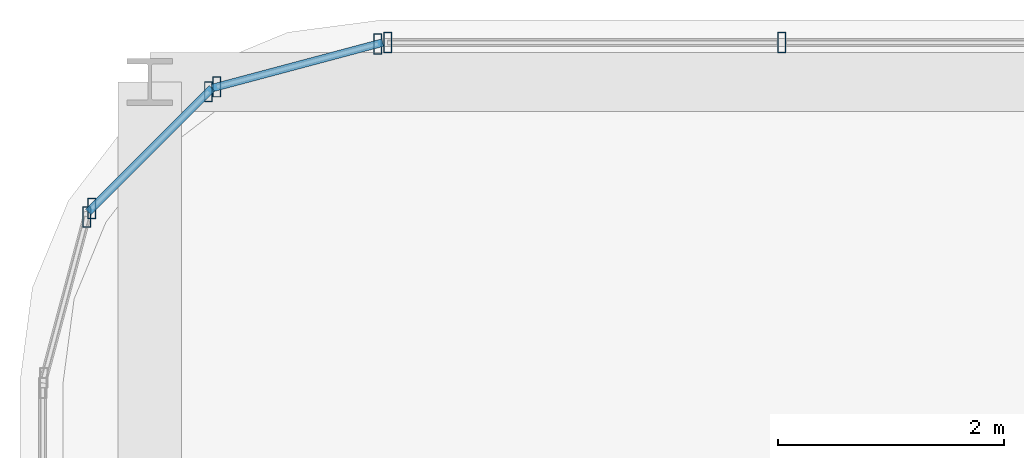
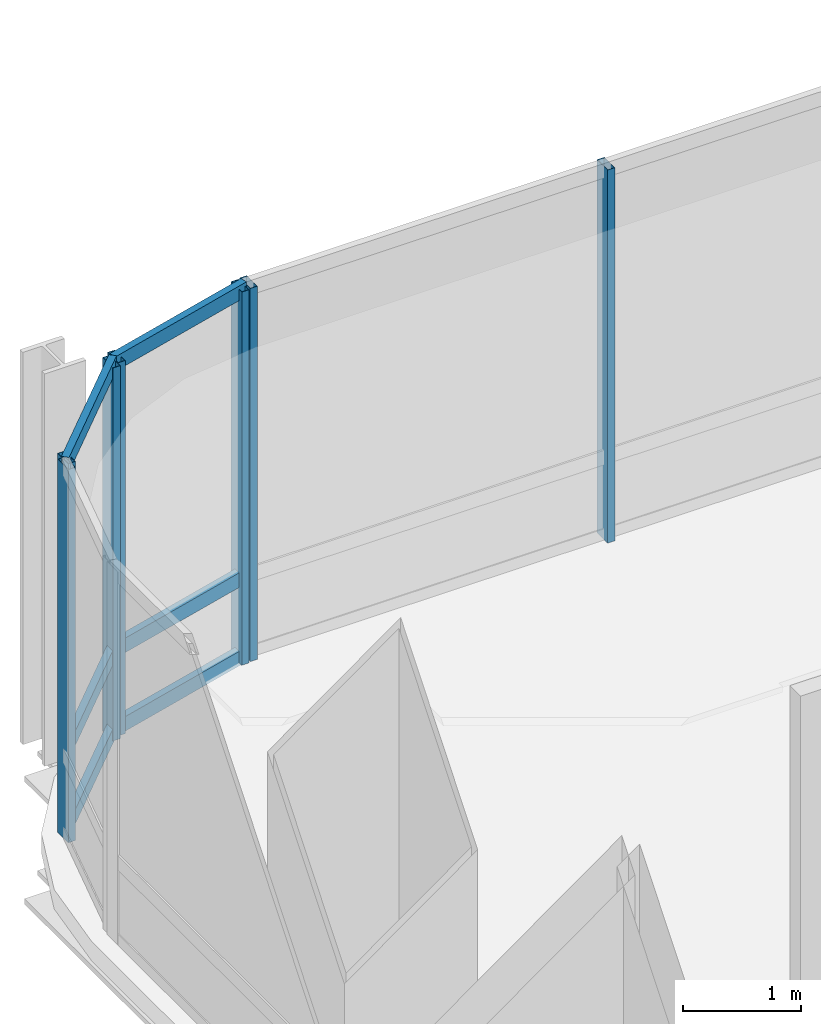
# One storey, part 24 of 42: 13 members, 4 elements without a shape of their own.
"""IFC4 building model written with IfcOpenShell, lengths in metres."""

import ifcopenshell
import ifcopenshell.guid

model = None  # the IFC model being written
_history = None  # IfcOwnerHistory: only IFC2X3 demands one
_inside = {}  # id of a spatial element -> (the spatial element, [elements in it])
_under = {}  # id of a project, library or spatial element -> (it, [spatial elements below it])
_declared = {}  # id of a project -> (the project, [libraries it declares])
_typed = {}  # id of a type object -> (the type object, [elements of that type])
_made_of = {}  # id of a material, layer set ... -> (it, [elements and type objects made of it])


def new_model(schema):
    """Start an empty IFC model of exactly this schema.

    Asked for "IFC4X3", IfcOpenShell would pick the latest addendum, in which some entities
    have other attributes; the version numbers below select the first issue.
    IFC2X3 requires an IfcOwnerHistory on every rooted entity: one is made here for all.
    """
    global model, _history
    if schema == "IFC4X3":
        model = ifcopenshell.file(schema_version=(4, 3, 0, 0))
    else:
        model = ifcopenshell.file(schema=schema)
    _inside.clear()
    _under.clear()
    _declared.clear()
    _typed.clear()
    _made_of.clear()
    _history = None
    if model.schema == "IFC2X3":
        org = make("IfcOrganization", Name="unknown")
        user = make(
            "IfcPersonAndOrganization",
            ThePerson=make("IfcPerson", FamilyName="unknown"),
            TheOrganization=org,
        )
        app = make(
            "IfcApplication",
            ApplicationDeveloper=org,
            Version="unknown",
            ApplicationFullName="unknown",
            ApplicationIdentifier="unknown",
        )
        _history = make(
            "IfcOwnerHistory",
            OwningUser=user,
            OwningApplication=app,
            ChangeAction="ADDED",
            CreationDate=0,
        )
    return model


def make(cls, **values):
    """One entity of the class cls with the attributes given. An attribute that is None is left unset."""
    return model.create_entity(
        cls, **{name: value for name, value in values.items() if value is not None}
    )


def rooted(cls, **values):
    """An entity with a GlobalId (a new one), such as an element, a storey or a relation."""
    return make(cls, GlobalId=ifcopenshell.guid.new(), OwnerHistory=_history, **values)


def si_unit(unit_type, name, prefix=None):
    """IfcSIUnit, for example si_unit("LENGTHUNIT", "METRE", prefix="MILLI")."""
    return make("IfcSIUnit", UnitType=unit_type, Prefix=prefix, Name=name)


def assignment(units):
    """IfcUnitAssignment: the units of a project."""
    return None if units is None else make("IfcUnitAssignment", Units=units)


def point(xyz):
    """IfcCartesianPoint."""
    return None if xyz is None else make("IfcCartesianPoint", Coordinates=xyz)


def direction(xyz):
    """IfcDirection."""
    return None if xyz is None else make("IfcDirection", DirectionRatios=xyz)


def frame(location, z_axis=None, x_axis=None):
    """IfcAxis2Placement3D, a coordinate frame: its origin and axes. An axis left out is left unset."""
    return make(
        "IfcAxis2Placement3D",
        Location=point(location),
        Axis=direction(z_axis),
        RefDirection=direction(x_axis),
    )


def frame_2d(location, x_axis=None):
    """IfcAxis2Placement2D, a coordinate frame in the plane: its origin and x axis."""
    return make(
        "IfcAxis2Placement2D", Location=point(location), RefDirection=direction(x_axis)
    )


def origin():
    """The frame at (0, 0, 0) with its axes left unset."""
    return frame((0.0, 0.0, 0.0))


def origin_2d():
    """The frame at (0, 0) in the plane with its x axis left unset."""
    return frame_2d((0.0, 0.0))


def place(relative_to, where):
    """IfcLocalPlacement: puts the frame where relative to a parent placement (None: the world)."""
    return make(
        "IfcLocalPlacement", PlacementRelTo=relative_to, RelativePlacement=where
    )


def context(
    kind, dimensions, precision=None, world=None, true_north=None, identifier=None
):
    """IfcGeometricRepresentationContext, for example the 3D "Model" context."""
    return make(
        "IfcGeometricRepresentationContext",
        ContextIdentifier=identifier,
        ContextType=kind,
        CoordinateSpaceDimension=dimensions,
        Precision=precision,
        WorldCoordinateSystem=world,
        TrueNorth=true_north,
    )


def subcontext(parent, identifier, kind, view, scale=None):
    """IfcGeometricRepresentationSubContext, for example "Body" below "Model"."""
    return make(
        "IfcGeometricRepresentationSubContext",
        ContextIdentifier=identifier,
        ContextType=kind,
        ParentContext=parent,
        TargetScale=scale,
        TargetView=view,
    )


def project(units=None, contexts=None):
    """IfcProject with its units and contexts."""
    return rooted(
        "IfcProject",
        Name="project",
        RepresentationContexts=contexts,
        UnitsInContext=assignment(units),
    )


def spatial(cls, under=None, at=None, **own):
    """A site, building, storey or space (cls), placed at a placement, below another one or the project."""
    s = rooted(cls, ObjectPlacement=at, **own)
    if under is not None:
        _under.setdefault(under.id(), (under, []))[1].append(s)
    return s


def profile(cls, at=None, kind="AREA", **sizes):
    """A parametric profile (cls). Its sizes go by their IFC names, for example OverallWidth=200.0."""
    return make(cls, ProfileType=kind, Position=at, **sizes)


def hollow_rectangle(**sizes):
    """IfcRectangleHollowProfileDef."""
    return profile("IfcRectangleHollowProfileDef", **sizes)


def extrude(swept, where, along, depth):
    """IfcExtrudedAreaSolid: the profile swept, set in the frame where, extruded along a direction by depth."""
    return make(
        "IfcExtrudedAreaSolid",
        SweptArea=swept,
        Position=where,
        ExtrudedDirection=direction(along),
        Depth=depth,
    )


def shape(context_of_items, identifier, shape_type, items):
    """IfcShapeRepresentation: the items that make up one representation, for example the "Body"."""
    return make(
        "IfcShapeRepresentation",
        ContextOfItems=context_of_items,
        RepresentationIdentifier=identifier,
        RepresentationType=shape_type,
        Items=items,
    )


def material(Name=None, Category=None):
    """IfcMaterial."""
    return make("IfcMaterial", Name=Name, Category=Category)


def material_profile(
    of_material, cross_section, Name=None, Category=None, Priority=None
):
    """IfcMaterialProfile: a cross section and its material."""
    return make(
        "IfcMaterialProfile",
        Name=Name,
        Material=of_material,
        Profile=cross_section,
        Priority=Priority,
        Category=Category,
    )


def profile_set(profiles, Name=None, composite=None):
    """IfcMaterialProfileSet."""
    return make(
        "IfcMaterialProfileSet",
        Name=Name,
        MaterialProfiles=profiles,
        CompositeProfile=composite,
    )


def made_of(thing, what):
    """Note that an element or type object is made of a material, layer set ...; save() writes the relation."""
    if what is not None:
        _made_of.setdefault(what.id(), (what, []))[1].append(thing)
    return thing


def type_object(cls, material=None, **own):
    """A type object (cls), such as IfcWallType, which elements share."""
    return made_of(rooted(cls, **own), material)


def element(
    cls,
    number,
    at=None,
    inside=None,
    cuts=None,
    type_object=None,
    material=None,
    context=None,
    identifier="Body",
    shape_type=None,
    held_by="IfcProductDefinitionShape",
    body=None,
    shapes=None,
    **own,
):
    """One element of the class cls, such as IfcWall. Its Tag is "e" and its number.

    at: its placement. inside: the storey or other place that contains it. cuts: it is an
    opening in that element (IfcRelVoidsElement). A single representation is given by context,
    identifier, shape_type and body (its items); several are given by shapes. held_by: the class
    of the entity that holds the representations. save() writes the other relations.
    """
    e = rooted(cls, Tag="e%d" % number, ObjectPlacement=at, **own)
    if body is not None:
        shapes = [shape(context, identifier, shape_type, body)]
    if shapes is not None:
        e.Representation = make(held_by, Representations=shapes)
    if inside is not None:
        _inside.setdefault(inside.id(), (inside, []))[1].append(e)
    if cuts is not None:
        rooted(
            "IfcRelVoidsElement", RelatingBuildingElement=cuts, RelatedOpeningElement=e
        )
    if type_object is not None:
        _typed.setdefault(type_object.id(), (type_object, []))[1].append(e)
    return made_of(e, material)


def aggregate(whole, parts):
    """IfcRelAggregates: a whole, such as a stair, and the parts it consists of."""
    return rooted("IfcRelAggregates", RelatingObject=whole, RelatedObjects=parts)


def save(model, path):
    """Write the relations noted so far, then the file.

    IfcRelAggregates (storeys below a building ...), IfcRelContainedInSpatialStructure (elements
    in a storey), IfcRelDefinesByType, IfcRelAssociatesMaterial and IfcRelDeclares: one each for
    every whole, place, type object, material and project.
    """
    for whole, parts in _under.values():
        aggregate(whole, parts)
    for where, things in _inside.values():
        rooted(
            "IfcRelContainedInSpatialStructure",
            RelatedElements=things,
            RelatingStructure=where,
        )
    for kind, things in _typed.values():
        rooted("IfcRelDefinesByType", RelatedObjects=things, RelatingType=kind)
    for what, things in _made_of.values():
        rooted("IfcRelAssociatesMaterial", RelatedObjects=things, RelatingMaterial=what)
    for by, libraries in _declared.values():
        rooted("IfcRelDeclares", RelatingContext=by, RelatedDefinitions=libraries)
    model.write(path)


model = new_model("IFC4")

# Units and contexts
model_context = context("Model", 3, precision=1e-05, world=origin(), true_north=direction((0.0, 1.0)))
body_context = subcontext(model_context, "Body", "Model", "MODEL_VIEW")
ifc_project = project(units=[si_unit("LENGTHUNIT", "METRE"), si_unit("AREAUNIT", "SQUARE_METRE"), si_unit("VOLUMEUNIT", "CUBIC_METRE"), si_unit("PLANEANGLEUNIT", "RADIAN"), si_unit("MASSUNIT", "GRAM", prefix="KILO")], contexts=[model_context])

# Site, building, storey
site_placement = place(None, origin())
site = spatial("IfcSite", under=ifc_project, at=site_placement, CompositionType="ELEMENT")
building_placement = place(site_placement, origin())
building = spatial("IfcBuilding", under=site, at=building_placement, Name="Punatoya Terracotta Tower", CompositionType="ELEMENT")
storey_placement = place(building_placement, frame((0.0, 0.0, 255.449951171875)))
storey = spatial("IfcBuildingStorey", under=building, at=storey_placement, Name="L60", CompositionType="ELEMENT", Elevation=255.449951171875)

# Curtain wall, members
ifc_material_1 = material(Name="Aluminium 6063-T6 + Double Low-E Glass", Category="aluminium")
curtain_wall_type = type_object("IfcCurtainWallType", Name="CW-M3", PredefinedType="NOTDEFINED", material=ifc_material_1)
curtain_wall_1_placement = place(storey_placement, origin())
curtain_wall_1 = element("IfcCurtainWall", 1, at=curtain_wall_1_placement, inside=storey, type_object=curtain_wall_type, Name="L60 Curtain Wall CW-L60-N09-1", PredefinedType="NOTDEFINED")
ifc_material_2 = material(Name="Aluminium 6063-T6", Category="aluminium")
ifc_material_profile_1 = material_profile(ifc_material_2, hollow_rectangle(XDim=0.070068359375, YDim=0.179931640625, WallThickness=0.00390625, at=origin_2d()))
ifc_profile_set_1 = profile_set([ifc_material_profile_1], Name="Aluminium 6063-T6")
member_type_1 = type_object("IfcMemberType", Name="CW-MUL-M3", PredefinedType="MULLION", material=ifc_profile_set_1)
member_1_placement = place(storey_placement, frame((-13.5029296875, 23.25, 0.0), z_axis=(0.0, 0.0, 1.0), x_axis=(1.0, 0.0, 0.0)))
member_1 = element("IfcMember", 2, at=member_1_placement, type_object=member_type_1, Name="CW-L60-N09-1 Mullion 10", PredefinedType="MULLION", context=body_context, shape_type="SweptSolid", body=[
    extrude(hollow_rectangle(XDim=0.070068359375, YDim=0.179931640625, WallThickness=0.00390625, at=origin_2d()), origin(), (0.0, 0.0, 1.0), 3.85009765625),
])
member_2_placement = place(storey_placement, frame((-16.991943359375, 23.25, 0.0), z_axis=(0.0, 0.0, 1.0), x_axis=(1.0, 0.0, 0.0)))
member_2 = element("IfcMember", 3, at=member_2_placement, type_object=member_type_1, Name="CW-L60-N09-1 Mullion 11", PredefinedType="MULLION", context=body_context, shape_type="SweptSolid", body=[
    extrude(hollow_rectangle(XDim=0.070068359375, YDim=0.179931640625, WallThickness=0.00390625, at=origin_2d()), origin(), (0.0, 0.0, 1.0), 3.85009765625),
])
aggregate(curtain_wall_1, [member_1, member_2])

curtain_wall_2_placement = place(storey_placement, origin())
curtain_wall_2 = element("IfcCurtainWall", 4, at=curtain_wall_2_placement, inside=storey, type_object=curtain_wall_type, Name="L60 Curtain Wall CW-L60-CRN10", PredefinedType="NOTDEFINED")
member_3_placement = place(storey_placement, frame((-17.080322265625, 23.23828125, 0.0), z_axis=(0.0, 0.0, 1.0), x_axis=(1.0, 0.0, 0.0)))
member_3 = element("IfcMember", 5, at=member_3_placement, type_object=member_type_1, Name="CW-L60-CRN10 Mullion 00", PredefinedType="MULLION", context=body_context, shape_type="SweptSolid", body=[
    extrude(hollow_rectangle(XDim=0.070068359375, YDim=0.179931640625, WallThickness=0.00390625, at=origin_2d()), origin(), (0.0, 0.0, 1.0), 3.85009765625),
])
member_4_placement = place(storey_placement, frame((-18.505615234375, 22.858154296875, 0.0), z_axis=(0.0, 0.0, 1.0), x_axis=(1.0, 0.0, 0.0)))
member_4 = element("IfcMember", 6, at=member_4_placement, type_object=member_type_1, Name="CW-L60-CRN10 Mullion 01", PredefinedType="MULLION", context=body_context, shape_type="SweptSolid", body=[
    extrude(hollow_rectangle(XDim=0.070068359375, YDim=0.179931640625, WallThickness=0.00390625, at=origin_2d()), origin(), (0.0, 0.0, 1.0), 3.85009765625),
])

curtain_wall_3_placement = place(storey_placement, origin())
curtain_wall_3 = element("IfcCurtainWall", 7, at=curtain_wall_3_placement, inside=storey, type_object=curtain_wall_type, Name="L60 Curtain Wall CW-L60-CRN11", PredefinedType="NOTDEFINED")
member_5_placement = place(storey_placement, frame((-18.580810546875, 22.814697265625, 0.0), z_axis=(0.0, 0.0, 1.0), x_axis=(1.0, 0.0, 0.0)))
member_5 = element("IfcMember", 8, at=member_5_placement, type_object=member_type_1, Name="CW-L60-CRN11 Mullion 00", PredefinedType="MULLION", context=body_context, shape_type="SweptSolid", body=[
    extrude(hollow_rectangle(XDim=0.070068359375, YDim=0.179931640625, WallThickness=0.00390625, at=origin_2d()), origin(), (0.0, 0.0, 1.0), 3.85009765625),
])
member_6_placement = place(storey_placement, frame((-19.61474609375, 21.781005859375, 0.0), z_axis=(0.0, 0.0, 1.0), x_axis=(1.0, 0.0, 0.0)))
member_6 = element("IfcMember", 9, at=member_6_placement, type_object=member_type_1, Name="CW-L60-CRN11 Mullion 01", PredefinedType="MULLION", context=body_context, shape_type="SweptSolid", body=[
    extrude(hollow_rectangle(XDim=0.070068359375, YDim=0.179931640625, WallThickness=0.00390625, at=origin_2d()), origin(), (0.0, 0.0, 1.0), 3.85009765625),
])

# Curtain wall, member
curtain_wall_4_placement = place(storey_placement, origin())
curtain_wall_4 = element("IfcCurtainWall", 10, at=curtain_wall_4_placement, inside=storey, type_object=curtain_wall_type, Name="L60 Curtain Wall CW-L60-CRN12", PredefinedType="NOTDEFINED")
member_7_placement = place(storey_placement, frame((-19.658203125, 21.70556640625, 0.0), z_axis=(0.0, 0.0, 1.0), x_axis=(1.0, 0.0, 0.0)))
member_7 = element("IfcMember", 11, at=member_7_placement, type_object=member_type_1, Name="CW-L60-CRN12 Mullion 00", PredefinedType="MULLION", context=body_context, shape_type="SweptSolid", body=[
    extrude(hollow_rectangle(XDim=0.070068359375, YDim=0.179931640625, WallThickness=0.00390625, at=origin_2d()), origin(), (0.0, 0.0, 1.0), 3.85009765625),
])
aggregate(curtain_wall_4, [member_7])

# Member
ifc_material_profile_2 = material_profile(ifc_material_2, hollow_rectangle(XDim=0.068115234375, YDim=0.14990234375, WallThickness=0.00390625, at=origin_2d()))
ifc_profile_set_2 = profile_set([ifc_material_profile_2], Name="Aluminium 6063-T6")
member_type_2 = type_object("IfcMemberType", Name="CW-TRN-TYP", PredefinedType="USERDEFINED", material=ifc_profile_set_2)
member_8_placement = place(storey_placement, frame((-17.036865234375, 23.25, 0.0400390625), z_axis=(-0.966224582397, -0.257701486942, 0.0), x_axis=(0.257701486942, -0.966224582397, 0.0)))
member_8 = element("IfcMember", 12, at=member_8_placement, type_object=member_type_2, Name="CW-L60-CRN10 Transom 1", ObjectType="TRANSOM", PredefinedType="USERDEFINED", context=body_context, shape_type="SweptSolid", body=[
    extrude(hollow_rectangle(XDim=0.068115234375, YDim=0.14990234375, WallThickness=0.00390625, at=origin_2d()), origin(), (0.0, 0.0, 1.0), 1.565185546875),
])

member_9_placement = place(storey_placement, frame((-17.036865234375, 23.25, 0.85009765625), z_axis=(-0.966224582397, -0.257701486942, 0.0), x_axis=(0.257701486942, -0.966224582397, 0.0)))
member_9 = element("IfcMember", 13, at=member_9_placement, type_object=member_type_2, Name="CW-L60-CRN10 Transom 2", ObjectType="TRANSOM", PredefinedType="USERDEFINED", context=body_context, shape_type="SweptSolid", body=[
    extrude(hollow_rectangle(XDim=0.068115234375, YDim=0.14990234375, WallThickness=0.00390625, at=origin_2d()), origin(), (0.0, 0.0, 1.0), 1.565185546875),
])

member_10_placement = place(storey_placement, frame((-17.036865234375, 23.25, 3.81005859375), z_axis=(-0.966224582397, -0.257701486942, 0.0), x_axis=(0.257701486942, -0.966224582397, 0.0)))
member_10 = element("IfcMember", 14, at=member_10_placement, type_object=member_type_2, Name="CW-L60-CRN10 Transom 3", ObjectType="TRANSOM", PredefinedType="USERDEFINED", context=body_context, shape_type="SweptSolid", body=[
    extrude(hollow_rectangle(XDim=0.068115234375, YDim=0.14990234375, WallThickness=0.00390625, at=origin_2d()), origin(), (0.0, 0.0, 1.0), 1.565185546875),
])

aggregate(curtain_wall_2, [member_3, member_4, member_8, member_9, member_10])

member_11_placement = place(storey_placement, frame((-18.549072265625, 22.8466796875, 0.0400390625), z_axis=(-0.707028130747, -0.707185422879, 0.0), x_axis=(0.707185422879, -0.707028130747, 0.0)))
member_11 = element("IfcMember", 15, at=member_11_placement, type_object=member_type_2, Name="CW-L60-CRN11 Transom 1", ObjectType="TRANSOM", PredefinedType="USERDEFINED", context=body_context, shape_type="SweptSolid", body=[
    extrude(hollow_rectangle(XDim=0.068115234375, YDim=0.14990234375, WallThickness=0.00390625, at=origin_2d()), origin(), (0.0, 0.0, 1.0), 1.55224609375),
])

member_12_placement = place(storey_placement, frame((-18.549072265625, 22.8466796875, 0.85009765625), z_axis=(-0.707028130747, -0.707185422879, 0.0), x_axis=(0.707185422879, -0.707028130747, 0.0)))
member_12 = element("IfcMember", 16, at=member_12_placement, type_object=member_type_2, Name="CW-L60-CRN11 Transom 2", ObjectType="TRANSOM", PredefinedType="USERDEFINED", context=body_context, shape_type="SweptSolid", body=[
    extrude(hollow_rectangle(XDim=0.068115234375, YDim=0.14990234375, WallThickness=0.00390625, at=origin_2d()), origin(), (0.0, 0.0, 1.0), 1.55224609375),
])

member_13_placement = place(storey_placement, frame((-18.549072265625, 22.8466796875, 3.81005859375), z_axis=(-0.707028130747, -0.707185422879, 0.0), x_axis=(0.707185422879, -0.707028130747, 0.0)))
member_13 = element("IfcMember", 17, at=member_13_placement, type_object=member_type_2, Name="CW-L60-CRN11 Transom 3", ObjectType="TRANSOM", PredefinedType="USERDEFINED", context=body_context, shape_type="SweptSolid", body=[
    extrude(hollow_rectangle(XDim=0.068115234375, YDim=0.14990234375, WallThickness=0.00390625, at=origin_2d()), origin(), (0.0, 0.0, 1.0), 1.55224609375),
])

aggregate(curtain_wall_3, [member_5, member_6, member_11, member_12, member_13])

save(model, "model.ifc")
